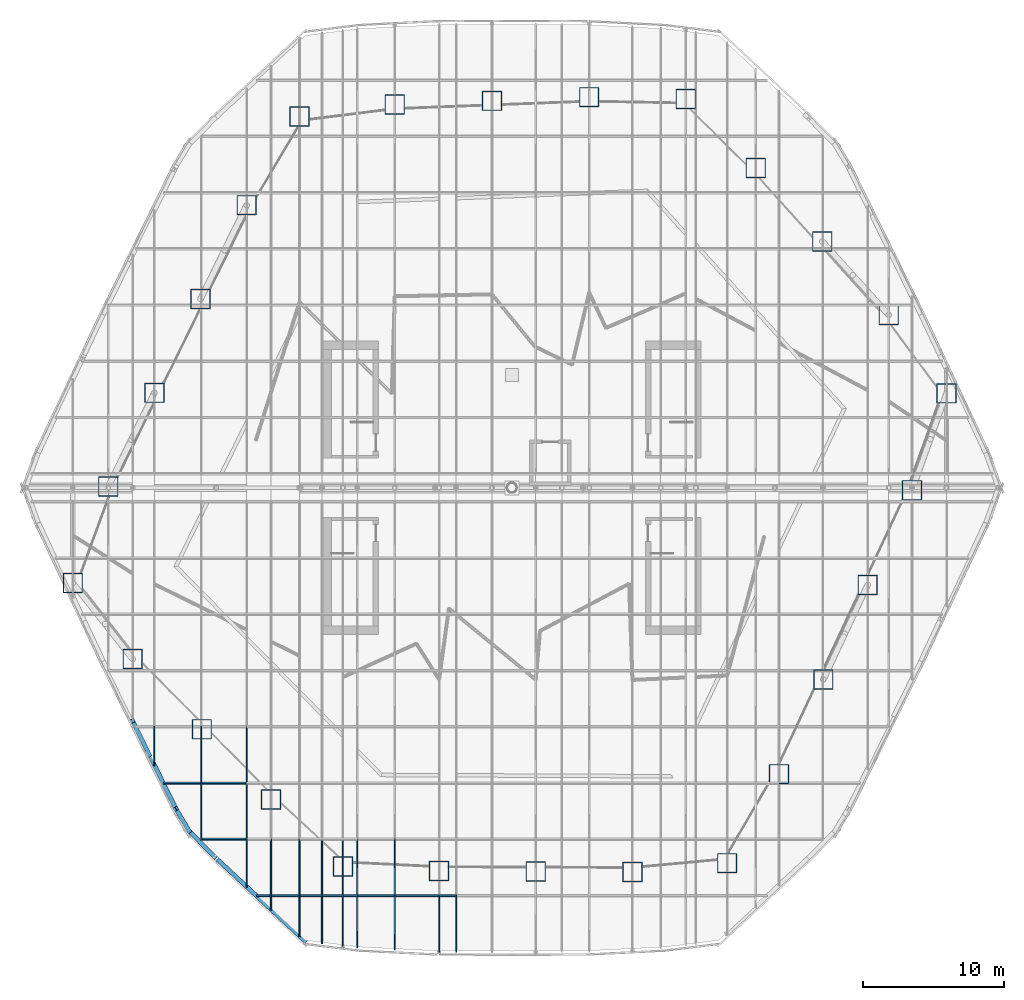
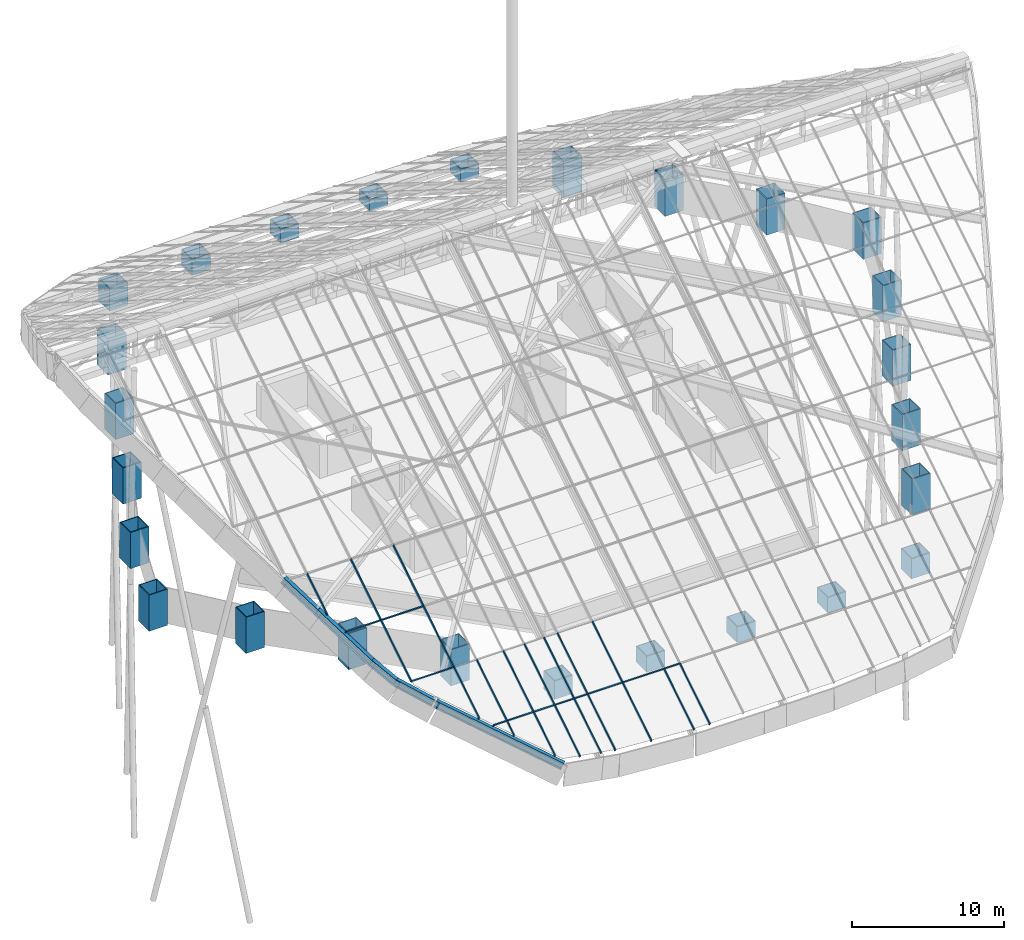
# One storey, part 1 of 38: 36 members, 26 columns, 22 elements without a shape of their own.
"""IFC4 building model written with IfcOpenShell, lengths in metres."""

from ifc_helpers import new_model, si_unit, direction, frame, origin, origin_2d, place, context, subcontext, project, spatial, rectangle, hollow_rectangle, i_section, extrude, material, layer, layer_set, material_profile, profile_set, type_object, element, aggregate, save


model = new_model("IFC4")

# Units and contexts
model_context = context("Model", 3, precision=1e-05, world=origin(), true_north=direction((0.0, 1.0)))
body_context = subcontext(model_context, "Body", "Model", "MODEL_VIEW")
ifc_project = project(units=[si_unit("LENGTHUNIT", "METRE"), si_unit("AREAUNIT", "SQUARE_METRE"), si_unit("VOLUMEUNIT", "CUBIC_METRE"), si_unit("PLANEANGLEUNIT", "RADIAN"), si_unit("MASSUNIT", "GRAM", prefix="KILO")], contexts=[model_context])

# Site, building, storey
site_placement = place(None, origin())
site = spatial("IfcSite", under=ifc_project, at=site_placement, CompositionType="ELEMENT")
building_placement = place(site_placement, origin())
building = spatial("IfcBuilding", under=site, at=building_placement, Name="Dongbaek Canopy Tower", CompositionType="ELEMENT")
storey_placement = place(building_placement, frame((0.0, 0.0, 375.800048828125)))
storey = spatial("IfcBuildingStorey", under=building, at=storey_placement, Name="Roof", CompositionType="ELEMENT", Elevation=375.800048828125)

# Columns
ifc_material_1 = material(Name="Steel S355", Category="steel")
ifc_material_profile_1 = material_profile(ifc_material_1, hollow_rectangle(XDim=1.39990234375, YDim=1.39990234375, WallThickness=0.06005859375, at=origin_2d()), Name="COLUMN BOX 1400x1400x60 Steel S355")
ifc_profile_set_1 = profile_set([ifc_material_profile_1], Name="Steel S355")
column_type = type_object("IfcColumnType", Name="COLUMN BOX 1400x1400x60 Steel S355", PredefinedType="COLUMN", material=ifc_profile_set_1)
for number, where, z_axis, x_axis, name in (
    (1, (-31.12890625, -6.7451171875, 0.0), (0.0, 0.0, 1.0), (1.0, 0.0, 0.0), "CANOPYCOL:CCN-09:Roof"),
    (2, (-26.888916015625, -12.134033203125, 0.0), (0.0, 0.0, 1.0), (1.0, 0.0, 0.0), "CANOPYCOL:CCN-08:Roof"),
    (3, (-21.986083984375, -17.112060546875, 0.0), (0.0, 0.0, 1.0), (1.0, 0.0, 0.0), "CANOPYCOL:CCN-07:Roof"),
    (4, (-17.083984375, -22.089111328125, 0.0), (0.0, 0.0, 1.0), (1.0, 0.0, 0.0), "CANOPYCOL:CCN-06:Roof"),
):
    element("IfcColumn", number, at=place(storey_placement, frame(where, z_axis=z_axis, x_axis=x_axis)), inside=storey, type_object=column_type, Name=name, PredefinedType="COLUMN", context=body_context, shape_type="SweptSolid", body=[
        extrude(hollow_rectangle(XDim=1.39990234375, YDim=1.39990234375, WallThickness=0.06005859375, at=origin_2d()), origin(), (0.0, 0.0, 1.0), 2.89990234375),
    ])
column_1_placement = place(storey_placement, frame((-11.985107421875, -26.8310546875, 0.0), z_axis=(0.0, 0.0, 1.0), x_axis=(1.0, 0.0, 0.0)))
element("IfcColumn", 5, at=column_1_placement, inside=storey, type_object=column_type, Name="CANOPYCOL:CCN-05:Roof", PredefinedType="COLUMN", context=body_context, shape_type="SweptSolid", body=[
    extrude(hollow_rectangle(XDim=1.39990234375, YDim=1.39990234375, WallThickness=0.06005859375, at=origin_2d()), origin(), (0.0, 0.0, 1.0), 1.48583984375),
])
column_2_placement = place(storey_placement, frame((-5.166015625, -27.1669921875, 0.0), z_axis=(0.0, 0.0, 1.0), x_axis=(1.0, 0.0, 0.0)))
element("IfcColumn", 6, at=column_2_placement, inside=storey, type_object=column_type, Name="CANOPYCOL:CCN-04:Roof", PredefinedType="COLUMN", context=body_context, shape_type="SweptSolid", body=[
    extrude(hollow_rectangle(XDim=1.39990234375, YDim=1.39990234375, WallThickness=0.06005859375, at=origin_2d()), origin(), (0.0, 0.0, 1.0), 1.27587890625),
])
column_3_placement = place(storey_placement, frame((1.68310546875, -27.197021484375, 0.0), z_axis=(0.0, 0.0, 1.0), x_axis=(1.0, 0.0, 0.0)))
element("IfcColumn", 7, at=column_3_placement, inside=storey, type_object=column_type, Name="CANOPYCOL:CCN-03:Roof", PredefinedType="COLUMN", context=body_context, shape_type="SweptSolid", body=[
    extrude(hollow_rectangle(XDim=1.39990234375, YDim=1.39990234375, WallThickness=0.06005859375, at=origin_2d()), origin(), (0.0, 0.0, 1.0), 1.257080078125),
])
column_4_placement = place(storey_placement, frame((8.533935546875, -27.22705078125, 0.0), z_axis=(0.0, 0.0, 1.0), x_axis=(1.0, 0.0, 0.0)))
element("IfcColumn", 8, at=column_4_placement, inside=storey, type_object=column_type, Name="CANOPYCOL:CCN-02:Roof", PredefinedType="COLUMN", context=body_context, shape_type="SweptSolid", body=[
    extrude(hollow_rectangle(XDim=1.39990234375, YDim=1.39990234375, WallThickness=0.06005859375, at=origin_2d()), origin(), (0.0, 0.0, 1.0), 1.23828125),
])
column_5_placement = place(storey_placement, frame((15.251953125, -26.60693359375, 0.0), z_axis=(0.0, 0.0, 1.0), x_axis=(1.0, 0.0, 0.0)))
element("IfcColumn", 9, at=column_5_placement, inside=storey, type_object=column_type, Name="CANOPYCOL:CCN-01:Roof", PredefinedType="COLUMN", context=body_context, shape_type="SweptSolid", body=[
    extrude(hollow_rectangle(XDim=1.39990234375, YDim=1.39990234375, WallThickness=0.06005859375, at=origin_2d()), origin(), (0.0, 0.0, 1.0), 1.625732421875),
])
for number, where, z_axis, x_axis, name in (
    (10, (18.925048828125, -20.2958984375, 0.0), (0.0, 0.0, 1.0), (1.0, 0.0, 0.0), "CANOPYCOL:CCN-26:Roof"),
    (11, (22.068115234375, -13.587890625, 0.0), (0.0, 0.0, 1.0), (1.0, 0.0, 0.0), "CANOPYCOL:CCN-25:Roof"),
    (12, (25.2099609375, -6.87890625, 0.0), (0.0, 0.0, 1.0), (1.0, 0.0, 0.0), "CANOPYCOL:CCN-24:Roof"),
    (13, (28.35107421875, -0.169921875, 0.0), (0.0, 0.0, 1.0), (1.0, 0.0, 0.0), "CANOPYCOL:CCN-23:Roof"),
    (14, (30.804931640625, 6.697998046875, 0.0), (0.0, 0.0, 1.0), (1.0, 0.0, 0.0), "CANOPYCOL:CCN-22:Roof"),
    (15, (26.702880859375, 12.257080078125, 0.0), (0.0, 0.0, 1.0), (1.0, 0.0, 0.0), "CANOPYCOL:CCN-21:Roof"),
    (16, (21.989990234375, 17.4619140625, 0.0), (0.0, 0.0, 1.0), (1.0, 0.0, 0.0), "CANOPYCOL:CCN-20:Roof"),
    (17, (17.27587890625, 22.666015625, 0.0), (0.0, 0.0, 1.0), (1.0, 0.0, 0.0), "CANOPYCOL:CCN-19:Roof"),
):
    element("IfcColumn", number, at=place(storey_placement, frame(where, z_axis=z_axis, x_axis=x_axis)), inside=storey, type_object=column_type, Name=name, PredefinedType="COLUMN", context=body_context, shape_type="SweptSolid", body=[
        extrude(hollow_rectangle(XDim=1.39990234375, YDim=1.39990234375, WallThickness=0.06005859375, at=origin_2d()), origin(), (0.0, 0.0, 1.0), 2.89990234375),
    ])
column_6_placement = place(storey_placement, frame((12.31396484375, 27.56298828125, 0.0), z_axis=(0.0, 0.0, 1.0), x_axis=(1.0, 0.0, 0.0)))
element("IfcColumn", 18, at=column_6_placement, inside=storey, type_object=column_type, Name="CANOPYCOL:CCN-18:Roof", PredefinedType="COLUMN", context=body_context, shape_type="SweptSolid", body=[
    extrude(hollow_rectangle(XDim=1.39990234375, YDim=1.39990234375, WallThickness=0.06005859375, at=origin_2d()), origin(), (0.0, 0.0, 1.0), 1.028564453125),
])
column_7_placement = place(storey_placement, frame((5.470947265625, 27.69189453125, 0.0), z_axis=(0.0, 0.0, 1.0), x_axis=(1.0, 0.0, 0.0)))
element("IfcColumn", 19, at=column_7_placement, inside=storey, type_object=column_type, Name="CANOPYCOL:CCN-17:Roof", PredefinedType="COLUMN", context=body_context, shape_type="SweptSolid", body=[
    extrude(hollow_rectangle(XDim=1.39990234375, YDim=1.39990234375, WallThickness=0.06005859375, at=origin_2d()), origin(), (0.0, 0.0, 1.0), 0.94775390625),
])
column_8_placement = place(storey_placement, frame((-1.41796875, 27.427978515625, 0.0), z_axis=(0.0, 0.0, 1.0), x_axis=(1.0, 0.0, 0.0)))
element("IfcColumn", 20, at=column_8_placement, inside=storey, type_object=column_type, Name="CANOPYCOL:CCN-16:Roof", PredefinedType="COLUMN", context=body_context, shape_type="SweptSolid", body=[
    extrude(hollow_rectangle(XDim=1.39990234375, YDim=1.39990234375, WallThickness=0.06005859375, at=origin_2d()), origin(), (0.0, 0.0, 1.0), 1.11279296875),
])
column_9_placement = place(storey_placement, frame((-8.30908203125, 27.1640625, 0.0), z_axis=(0.0, 0.0, 1.0), x_axis=(1.0, 0.0, 0.0)))
element("IfcColumn", 21, at=column_9_placement, inside=storey, type_object=column_type, Name="CANOPYCOL:CCN-15:Roof", PredefinedType="COLUMN", context=body_context, shape_type="SweptSolid", body=[
    extrude(hollow_rectangle(XDim=1.39990234375, YDim=1.39990234375, WallThickness=0.06005859375, at=origin_2d()), origin(), (0.0, 0.0, 1.0), 1.27783203125),
])
column_10_placement = place(storey_placement, frame((-15.06201171875, 26.321044921875, 0.0), z_axis=(0.0, 0.0, 1.0), x_axis=(1.0, 0.0, 0.0)))
element("IfcColumn", 22, at=column_10_placement, inside=storey, type_object=column_type, Name="CANOPYCOL:CCN-14:Roof", PredefinedType="COLUMN", context=body_context, shape_type="SweptSolid", body=[
    extrude(hollow_rectangle(XDim=1.39990234375, YDim=1.39990234375, WallThickness=0.06005859375, at=origin_2d()), origin(), (0.0, 0.0, 1.0), 1.804443359375),
])
for number, where, z_axis, x_axis, name in (
    (23, (-18.805908203125, 20.031982421875, 0.0), (0.0, 0.0, 1.0), (1.0, 0.0, 0.0), "CANOPYCOL:CCN-13:Roof"),
    (24, (-22.075927734375, 13.384033203125, 0.0), (0.0, 0.0, 1.0), (1.0, 0.0, 0.0), "CANOPYCOL:CCN-12:Roof"),
    (25, (-25.346923828125, 6.735107421875, 0.0), (0.0, 0.0, 1.0), (1.0, 0.0, 0.0), "CANOPYCOL:CCN-11:Roof"),
    (26, (-28.616943359375, 0.0859375, 0.0), (0.0, 0.0, 1.0), (1.0, 0.0, 0.0), "CANOPYCOL:CCN-10:Roof"),
):
    element("IfcColumn", number, at=place(storey_placement, frame(where, z_axis=z_axis, x_axis=x_axis)), inside=storey, type_object=column_type, Name=name, PredefinedType="COLUMN", context=body_context, shape_type="SweptSolid", body=[
        extrude(hollow_rectangle(XDim=1.39990234375, YDim=1.39990234375, WallThickness=0.06005859375, at=origin_2d()), origin(), (0.0, 0.0, 1.0), 2.89990234375),
    ])

# Curtain wall, member
ifc_material_2 = material(Name="Aluminium 6063-T6 pale anodised", Category="aluminium")
ifc_layer = layer(ifc_material_2, 0.199951171875)
ifc_layer_set = layer_set([ifc_layer], Name="CW-6 canopy glazing curtain wall")
curtain_wall_type = type_object("IfcCurtainWallType", Name="CW-6 canopy glazing curtain wall", PredefinedType="NOTDEFINED", material=ifc_layer_set)
curtain_wall_1_placement = place(storey_placement, origin())
curtain_wall_1 = element("IfcCurtainWall", 27, at=curtain_wall_1_placement, inside=storey, type_object=curtain_wall_type, Name="CW-6 canopy glazing south 4.5", PredefinedType="NOTDEFINED")
ifc_material_3 = material(Name="Aluminium 6063-T6 pale anodised", Category="aluminium")
ifc_material_profile_2 = material_profile(ifc_material_3, rectangle(XDim=0.080078125, YDim=0.199951171875, at=origin_2d()), Name="CW-6 mullion 80 x 200")
ifc_profile_set_2 = profile_set([ifc_material_profile_2], Name="Aluminium 6063-T6 pale anodised")
member_type_1 = type_object("IfcMemberType", Name="CW-6 mullion 80 x 200", PredefinedType="MULLION", material=ifc_profile_set_2)
member_1_placement = place(storey_placement, frame((-25.346923828125, -16.94482421875, 8.13525390625), z_axis=(0.0, -0.848041323399, -0.529930102756), x_axis=(1.0, 0.0, 0.0)))
member_1 = element("IfcMember", 28, at=member_1_placement, type_object=member_type_1, Name="CW-6 mullion S4.5.-25.3", PredefinedType="MULLION", context=body_context, shape_type="SweptSolid", body=[
    extrude(rectangle(XDim=0.080078125, YDim=0.199951171875, at=origin_2d()), origin(), (0.0, 0.0, 1.0), 3.18798828125),
])
aggregate(curtain_wall_1, [member_1])

curtain_wall_2_placement = place(storey_placement, origin())
curtain_wall_2 = element("IfcCurtainWall", 29, at=curtain_wall_2_placement, inside=storey, type_object=curtain_wall_type, Name="CW-6 canopy glazing south 5.5", PredefinedType="NOTDEFINED")
member_2_placement = place(storey_placement, frame((-22.031005859375, -16.94482421875, 8.13525390625), z_axis=(0.0, -0.848068327403, -0.529886886095), x_axis=(1.0, 0.0, 0.0)))
member_2 = element("IfcMember", 30, at=member_2_placement, type_object=member_type_1, Name="CW-6 mullion S5.5.-22.0", PredefinedType="MULLION", context=body_context, shape_type="SweptSolid", body=[
    extrude(rectangle(XDim=0.080078125, YDim=0.199951171875, at=origin_2d()), origin(), (0.0, 0.0, 1.0), 4.700439453125),
])

curtain_wall_3_placement = place(storey_placement, origin())
curtain_wall_3 = element("IfcCurtainWall", 31, at=curtain_wall_3_placement, inside=storey, type_object=curtain_wall_type, Name="CW-6 canopy glazing south 5.6", PredefinedType="NOTDEFINED")
member_3_placement = place(storey_placement, frame((-22.031005859375, -20.93115234375, 5.64453125), z_axis=(0.0, -0.848030400431, -0.529947582262), x_axis=(1.0, 0.0, 0.0)))
member_3 = element("IfcMember", 32, at=member_3_placement, type_object=member_type_1, Name="CW-6 mullion S5.6.-22.0", PredefinedType="MULLION", context=body_context, shape_type="SweptSolid", body=[
    extrude(rectangle(XDim=0.080078125, YDim=0.199951171875, at=origin_2d()), origin(), (0.0, 0.0, 1.0), 4.700439453125),
])
aggregate(curtain_wall_3, [member_3])

curtain_wall_4_placement = place(storey_placement, origin())
curtain_wall_4 = element("IfcCurtainWall", 33, at=curtain_wall_4_placement, inside=storey, type_object=curtain_wall_type, Name="CW-6 canopy glazing south 6.5", PredefinedType="NOTDEFINED")
member_4_placement = place(storey_placement, frame((-18.805908203125, -16.94482421875, 8.13525390625), z_axis=(0.0, -0.848068327403, -0.529886886095), x_axis=(1.0, 0.0, 0.0)))
member_4 = element("IfcMember", 34, at=member_4_placement, type_object=member_type_1, Name="CW-6 mullion S6.5.-18.8", PredefinedType="MULLION", context=body_context, shape_type="SweptSolid", body=[
    extrude(rectangle(XDim=0.080078125, YDim=0.199951171875, at=origin_2d()), origin(), (0.0, 0.0, 1.0), 4.700439453125),
])

curtain_wall_5_placement = place(storey_placement, origin())
curtain_wall_5 = element("IfcCurtainWall", 35, at=curtain_wall_5_placement, inside=storey, type_object=curtain_wall_type, Name="CW-6 canopy glazing south 6.6", PredefinedType="NOTDEFINED")
member_5_placement = place(storey_placement, frame((-18.805908203125, -20.93115234375, 5.64453125), z_axis=(0.0, -0.848030400431, -0.529947582262), x_axis=(1.0, 0.0, 0.0)))
member_5 = element("IfcMember", 36, at=member_5_placement, type_object=member_type_1, Name="CW-6 mullion S6.6.-18.8", PredefinedType="MULLION", context=body_context, shape_type="SweptSolid", body=[
    extrude(rectangle(XDim=0.080078125, YDim=0.199951171875, at=origin_2d()), origin(), (0.0, 0.0, 1.0), 4.700439453125),
])

curtain_wall_6_placement = place(storey_placement, origin())
curtain_wall_6 = element("IfcCurtainWall", 37, at=curtain_wall_6_placement, inside=storey, type_object=curtain_wall_type, Name="CW-6 canopy glazing south 6.7", PredefinedType="NOTDEFINED")
member_6_placement = place(storey_placement, frame((-18.805908203125, -24.917236328125, 3.153564453125), z_axis=(0.0, -0.848050316017, -0.529915711697), x_axis=(1.0, 0.0, 0.0)))
member_6 = element("IfcMember", 38, at=member_6_placement, type_object=member_type_1, Name="CW-6 mullion S6.7.-18.8", PredefinedType="MULLION", context=body_context, shape_type="SweptSolid", body=[
    extrude(rectangle(XDim=0.080078125, YDim=0.199951171875, at=origin_2d()), origin(), (0.0, 0.0, 1.0), 3.955322265625),
])
aggregate(curtain_wall_6, [member_6])

curtain_wall_7_placement = place(storey_placement, origin())
curtain_wall_7 = element("IfcCurtainWall", 39, at=curtain_wall_7_placement, inside=storey, type_object=curtain_wall_type, Name="CW-6 canopy glazing south 7.7", PredefinedType="NOTDEFINED")
member_7_placement = place(storey_placement, frame((-17.083984375, -24.917236328125, 3.153564453125), z_axis=(0.0, -0.848068327403, -0.529886886095), x_axis=(1.0, 0.0, 0.0)))
member_7 = element("IfcMember", 40, at=member_7_placement, type_object=member_type_1, Name="CW-6 mullion S7.7.-17.1", PredefinedType="MULLION", context=body_context, shape_type="SweptSolid", body=[
    extrude(rectangle(XDim=0.080078125, YDim=0.199951171875, at=origin_2d()), origin(), (0.0, 0.0, 1.0), 4.700439453125),
])

curtain_wall_8_placement = place(storey_placement, origin())
curtain_wall_8 = element("IfcCurtainWall", 41, at=curtain_wall_8_placement, inside=storey, type_object=curtain_wall_type, Name="CW-6 canopy glazing south 7.8", PredefinedType="NOTDEFINED")
member_8_placement = place(storey_placement, frame((-17.083984375, -28.903564453125, 0.662841796875), z_axis=(0.0, -0.84798630689, -0.530018134903), x_axis=(1.0, 0.0, 0.0)))
member_8 = element("IfcMember", 42, at=member_8_placement, type_object=member_type_1, Name="CW-6 mullion S7.8.-17.1", PredefinedType="MULLION", context=body_context, shape_type="SweptSolid", body=[
    extrude(rectangle(XDim=0.080078125, YDim=0.199951171875, at=origin_2d()), origin(), (0.0, 0.0, 1.0), 1.143310546875),
])
aggregate(curtain_wall_8, [member_8])

curtain_wall_9_placement = place(storey_placement, origin())
curtain_wall_9 = element("IfcCurtainWall", 43, at=curtain_wall_9_placement, inside=storey, type_object=curtain_wall_type, Name="CW-6 canopy glazing south 8.7", PredefinedType="NOTDEFINED")
member_9_placement = place(storey_placement, frame((-15.06201171875, -24.917236328125, 3.153564453125), z_axis=(0.0, -0.848068327403, -0.529886886095), x_axis=(1.0, 0.0, 0.0)))
member_9 = element("IfcMember", 44, at=member_9_placement, type_object=member_type_1, Name="CW-6 mullion S8.7.-15.1", PredefinedType="MULLION", context=body_context, shape_type="SweptSolid", body=[
    extrude(rectangle(XDim=0.080078125, YDim=0.199951171875, at=origin_2d()), origin(), (0.0, 0.0, 1.0), 4.700439453125),
])

curtain_wall_10_placement = place(storey_placement, origin())
curtain_wall_10 = element("IfcCurtainWall", 45, at=curtain_wall_10_placement, inside=storey, type_object=curtain_wall_type, Name="CW-6 canopy glazing south 8.8", PredefinedType="NOTDEFINED")
member_10_placement = place(storey_placement, frame((-15.06201171875, -28.903564453125, 0.662841796875), z_axis=(0.0, -0.848018710085, -0.529966288877), x_axis=(1.0, 0.0, 0.0)))
member_10 = element("IfcMember", 46, at=member_10_placement, type_object=member_type_1, Name="CW-6 mullion S8.8.-15.1", PredefinedType="MULLION", context=body_context, shape_type="SweptSolid", body=[
    extrude(rectangle(XDim=0.080078125, YDim=0.199951171875, at=origin_2d()), origin(), (0.0, 0.0, 1.0), 3.360595703125),
])
aggregate(curtain_wall_10, [member_10])

curtain_wall_11_placement = place(storey_placement, origin())
curtain_wall_11 = element("IfcCurtainWall", 47, at=curtain_wall_11_placement, inside=storey, type_object=curtain_wall_type, Name="CW-6 canopy glazing south 9.7", PredefinedType="NOTDEFINED")
member_11_placement = place(storey_placement, frame((-13.464599609375, -24.917236328125, 3.153564453125), z_axis=(0.0, -0.848068327403, -0.529886886095), x_axis=(1.0, 0.0, 0.0)))
member_11 = element("IfcMember", 48, at=member_11_placement, type_object=member_type_1, Name="CW-6 mullion S9.7.-13.5", PredefinedType="MULLION", context=body_context, shape_type="SweptSolid", body=[
    extrude(rectangle(XDim=0.080078125, YDim=0.199951171875, at=origin_2d()), origin(), (0.0, 0.0, 1.0), 4.700439453125),
])

curtain_wall_12_placement = place(storey_placement, origin())
curtain_wall_12 = element("IfcCurtainWall", 49, at=curtain_wall_12_placement, inside=storey, type_object=curtain_wall_type, Name="CW-6 canopy glazing south 9.8", PredefinedType="NOTDEFINED")
member_12_placement = place(storey_placement, frame((-13.464599609375, -28.903564453125, 0.662841796875), z_axis=(0.0, -0.848036368747, -0.529938031549), x_axis=(1.0, 0.0, 0.0)))
member_12 = element("IfcMember", 50, at=member_12_placement, type_object=member_type_1, Name="CW-6 mullion S9.8.-13.5", PredefinedType="MULLION", context=body_context, shape_type="SweptSolid", body=[
    extrude(rectangle(XDim=0.080078125, YDim=0.199951171875, at=origin_2d()), origin(), (0.0, 0.0, 1.0), 3.96337890625),
])
aggregate(curtain_wall_12, [member_12])

curtain_wall_13_placement = place(storey_placement, origin())
curtain_wall_13 = element("IfcCurtainWall", 51, at=curtain_wall_13_placement, inside=storey, type_object=curtain_wall_type, Name="CW-6 canopy glazing south 10.7", PredefinedType="NOTDEFINED")
member_13_placement = place(storey_placement, frame((-11.985107421875, -24.917236328125, 3.153564453125), z_axis=(0.0, -0.848068327403, -0.529886886095), x_axis=(1.0, 0.0, 0.0)))
member_13 = element("IfcMember", 52, at=member_13_placement, type_object=member_type_1, Name="CW-6 mullion S10.7.-12.0", PredefinedType="MULLION", context=body_context, shape_type="SweptSolid", body=[
    extrude(rectangle(XDim=0.080078125, YDim=0.199951171875, at=origin_2d()), origin(), (0.0, 0.0, 1.0), 4.700439453125),
])

curtain_wall_14_placement = place(storey_placement, origin())
curtain_wall_14 = element("IfcCurtainWall", 53, at=curtain_wall_14_placement, inside=storey, type_object=curtain_wall_type, Name="CW-6 canopy glazing south 10.8", PredefinedType="NOTDEFINED")
member_14_placement = place(storey_placement, frame((-11.985107421875, -28.903564453125, 0.662841796875), z_axis=(0.0, -0.848037664843, -0.529935957458), x_axis=(1.0, 0.0, 0.0)))
member_14 = element("IfcMember", 54, at=member_14_placement, type_object=member_type_1, Name="CW-6 mullion S10.8.-12.0", PredefinedType="MULLION", context=body_context, shape_type="SweptSolid", body=[
    extrude(rectangle(XDim=0.080078125, YDim=0.199951171875, at=origin_2d()), origin(), (0.0, 0.0, 1.0), 4.181396484375),
])
aggregate(curtain_wall_14, [member_14])

curtain_wall_15_placement = place(storey_placement, origin())
curtain_wall_15 = element("IfcCurtainWall", 55, at=curtain_wall_15_placement, inside=storey, type_object=curtain_wall_type, Name="CW-6 canopy glazing south 11.7", PredefinedType="NOTDEFINED")
member_15_placement = place(storey_placement, frame((-10.964599609375, -24.917236328125, 3.153564453125), z_axis=(0.0, -0.848068327403, -0.529886886095), x_axis=(1.0, 0.0, 0.0)))
member_15 = element("IfcMember", 56, at=member_15_placement, type_object=member_type_1, Name="CW-6 mullion S11.7.-11.0", PredefinedType="MULLION", context=body_context, shape_type="SweptSolid", body=[
    extrude(rectangle(XDim=0.080078125, YDim=0.199951171875, at=origin_2d()), origin(), (0.0, 0.0, 1.0), 4.700439453125),
])

curtain_wall_16_placement = place(storey_placement, origin())
curtain_wall_16 = element("IfcCurtainWall", 57, at=curtain_wall_16_placement, inside=storey, type_object=curtain_wall_type, Name="CW-6 canopy glazing south 11.8", PredefinedType="NOTDEFINED")
member_16_placement = place(storey_placement, frame((-10.964599609375, -28.903564453125, 0.662841796875), z_axis=(0.0, -0.848026802453, -0.529953339758), x_axis=(1.0, 0.0, 0.0)))
member_16 = element("IfcMember", 58, at=member_16_placement, type_object=member_type_1, Name="CW-6 mullion S11.8.-11.0", PredefinedType="MULLION", context=body_context, shape_type="SweptSolid", body=[
    extrude(rectangle(XDim=0.080078125, YDim=0.199951171875, at=origin_2d()), origin(), (0.0, 0.0, 1.0), 4.331298828125),
])
aggregate(curtain_wall_16, [member_16])

curtain_wall_17_placement = place(storey_placement, origin())
curtain_wall_17 = element("IfcCurtainWall", 59, at=curtain_wall_17_placement, inside=storey, type_object=curtain_wall_type, Name="CW-6 canopy glazing south 12.7", PredefinedType="NOTDEFINED")
member_17_placement = place(storey_placement, frame((-8.30908203125, -24.917236328125, 3.153564453125), z_axis=(0.0, -0.848068327403, -0.529886886095), x_axis=(1.0, 0.0, 0.0)))
member_17 = element("IfcMember", 60, at=member_17_placement, type_object=member_type_1, Name="CW-6 mullion S12.7.-8.3", PredefinedType="MULLION", context=body_context, shape_type="SweptSolid", body=[
    extrude(rectangle(XDim=0.080078125, YDim=0.199951171875, at=origin_2d()), origin(), (0.0, 0.0, 1.0), 4.700439453125),
])

curtain_wall_18_placement = place(storey_placement, origin())
curtain_wall_18 = element("IfcCurtainWall", 61, at=curtain_wall_18_placement, inside=storey, type_object=curtain_wall_type, Name="CW-6 canopy glazing south 12.8", PredefinedType="NOTDEFINED")
member_18_placement = place(storey_placement, frame((-8.30908203125, -28.903564453125, 0.662841796875), z_axis=(0.0, -0.848034884332, -0.529940406986), x_axis=(1.0, 0.0, 0.0)))
member_18 = element("IfcMember", 62, at=member_18_placement, type_object=member_type_1, Name="CW-6 mullion S12.8.-8.3", PredefinedType="MULLION", context=body_context, shape_type="SweptSolid", body=[
    extrude(rectangle(XDim=0.080078125, YDim=0.199951171875, at=origin_2d()), origin(), (0.0, 0.0, 1.0), 4.4990234375),
])
aggregate(curtain_wall_18, [member_18])

curtain_wall_19_placement = place(storey_placement, origin())
curtain_wall_19 = element("IfcCurtainWall", 63, at=curtain_wall_19_placement, inside=storey, type_object=curtain_wall_type, Name="CW-6 canopy glazing south 13.8", PredefinedType="NOTDEFINED")
member_19_placement = place(storey_placement, frame((-5.166015625, -28.903564453125, 0.662841796875), z_axis=(0.0, -0.848027649756, -0.529951983909), x_axis=(1.0, 0.0, 0.0)))
member_19 = element("IfcMember", 64, at=member_19_placement, type_object=member_type_1, Name="CW-6 mullion S13.8.-5.2", PredefinedType="MULLION", context=body_context, shape_type="SweptSolid", body=[
    extrude(rectangle(XDim=0.080078125, YDim=0.199951171875, at=origin_2d()), origin(), (0.0, 0.0, 1.0), 4.673583984375),
])
aggregate(curtain_wall_19, [member_19])

curtain_wall_20_placement = place(storey_placement, origin())
curtain_wall_20 = element("IfcCurtainWall", 65, at=curtain_wall_20_placement, inside=storey, type_object=curtain_wall_type, Name="CW-6 canopy glazing south 14.8", PredefinedType="NOTDEFINED")
member_20_placement = place(storey_placement, frame((-3.964599609375, -28.903564453125, 0.662841796875), z_axis=(0.0, -0.84802174888, -0.529961426358), x_axis=(1.0, 0.0, 0.0)))
member_20 = element("IfcMember", 66, at=member_20_placement, type_object=member_type_1, Name="CW-6 mullion S14.8.-4.0", PredefinedType="MULLION", context=body_context, shape_type="SweptSolid", body=[
    extrude(rectangle(XDim=0.080078125, YDim=0.199951171875, at=origin_2d()), origin(), (0.0, 0.0, 1.0), 4.679931640625),
])
aggregate(curtain_wall_20, [member_20])

# Member
ifc_material_4 = material(Name="Aluminium 6063-T6 pale anodised", Category="aluminium")
ifc_material_profile_3 = material_profile(ifc_material_4, rectangle(XDim=0.080078125, YDim=0.199951171875, at=origin_2d()), Name="CW-6 transom 80 x 200")
ifc_profile_set_3 = profile_set([ifc_material_profile_3], Name="Aluminium 6063-T6 pale anodised")
member_type_2 = type_object("IfcMemberType", Name="CW-6 transom 80 x 200", PredefinedType="USERDEFINED", material=ifc_profile_set_3)
member_21_placement = place(storey_placement, frame((-24.716064453125, -20.93115234375, 5.64453125), z_axis=(1.0, 0.0, 0.0), x_axis=(0.0, 0.848048096156, 0.529919264233)))
member_21 = element("IfcMember", 67, at=member_21_placement, type_object=member_type_2, Name="CW-6 transom S5.5.6", ObjectType="TRANSOM", PredefinedType="USERDEFINED", context=body_context, shape_type="SweptSolid", body=[
    extrude(rectangle(XDim=0.080078125, YDim=0.199951171875, at=origin_2d()), origin(), (0.0, 0.0, 1.0), 2.68505859375),
])

aggregate(curtain_wall_2, [member_2, member_21])

member_22_placement = place(storey_placement, frame((-22.031005859375, -20.93115234375, 5.64453125), z_axis=(1.0, 0.0, 0.0), x_axis=(0.0, 0.848048096156, 0.529919264233)))
member_22 = element("IfcMember", 68, at=member_22_placement, type_object=member_type_2, Name="CW-6 transom S6.5.6", ObjectType="TRANSOM", PredefinedType="USERDEFINED", context=body_context, shape_type="SweptSolid", body=[
    extrude(rectangle(XDim=0.080078125, YDim=0.199951171875, at=origin_2d()), origin(), (0.0, 0.0, 1.0), 3.22509765625),
])

aggregate(curtain_wall_4, [member_4, member_22])

member_23_placement = place(storey_placement, frame((-22.031005859375, -24.917236328125, 3.153564453125), z_axis=(1.0, 0.0, 0.0), x_axis=(0.0, 0.848048096156, 0.529919264233)))
member_23 = element("IfcMember", 69, at=member_23_placement, type_object=member_type_2, Name="CW-6 transom S6.6.7", ObjectType="TRANSOM", PredefinedType="USERDEFINED", context=body_context, shape_type="SweptSolid", body=[
    extrude(rectangle(XDim=0.080078125, YDim=0.199951171875, at=origin_2d()), origin(), (0.0, 0.0, 1.0), 3.22509765625),
])

aggregate(curtain_wall_5, [member_5, member_23])

member_24_placement = place(storey_placement, frame((-18.12646484375, -28.903564453125, 0.662841796875), z_axis=(1.0, 0.0, 0.0), x_axis=(0.0, 0.848048096156, 0.529919264233)))
member_24 = element("IfcMember", 70, at=member_24_placement, type_object=member_type_2, Name="CW-6 transom S7.7.8", ObjectType="TRANSOM", PredefinedType="USERDEFINED", context=body_context, shape_type="SweptSolid", body=[
    extrude(rectangle(XDim=0.080078125, YDim=0.199951171875, at=origin_2d()), origin(), (0.0, 0.0, 1.0), 1.04248046875),
])

aggregate(curtain_wall_7, [member_7, member_24])

member_25_placement = place(storey_placement, frame((-17.083984375, -28.903564453125, 0.662841796875), z_axis=(1.0, 0.0, 0.0), x_axis=(0.0, 0.848048096156, 0.529919264233)))
member_25 = element("IfcMember", 71, at=member_25_placement, type_object=member_type_2, Name="CW-6 transom S8.7.8", ObjectType="TRANSOM", PredefinedType="USERDEFINED", context=body_context, shape_type="SweptSolid", body=[
    extrude(rectangle(XDim=0.080078125, YDim=0.199951171875, at=origin_2d()), origin(), (0.0, 0.0, 1.0), 2.02197265625),
])

aggregate(curtain_wall_9, [member_9, member_25])

member_26_placement = place(storey_placement, frame((-15.06201171875, -28.903564453125, 0.662841796875), z_axis=(1.0, 0.0, 0.0), x_axis=(0.0, 0.848048096156, 0.529919264233)))
member_26 = element("IfcMember", 72, at=member_26_placement, type_object=member_type_2, Name="CW-6 transom S9.7.8", ObjectType="TRANSOM", PredefinedType="USERDEFINED", context=body_context, shape_type="SweptSolid", body=[
    extrude(rectangle(XDim=0.080078125, YDim=0.199951171875, at=origin_2d()), origin(), (0.0, 0.0, 1.0), 1.597412109375),
])

aggregate(curtain_wall_11, [member_11, member_26])

member_27_placement = place(storey_placement, frame((-13.464599609375, -28.903564453125, 0.662841796875), z_axis=(1.0, 0.0, 0.0), x_axis=(0.0, 0.848048096156, 0.529919264233)))
member_27 = element("IfcMember", 73, at=member_27_placement, type_object=member_type_2, Name="CW-6 transom S10.7.8", ObjectType="TRANSOM", PredefinedType="USERDEFINED", context=body_context, shape_type="SweptSolid", body=[
    extrude(rectangle(XDim=0.080078125, YDim=0.199951171875, at=origin_2d()), origin(), (0.0, 0.0, 1.0), 1.4794921875),
])

aggregate(curtain_wall_13, [member_13, member_27])

member_28_placement = place(storey_placement, frame((-11.985107421875, -28.903564453125, 0.662841796875), z_axis=(1.0, 0.0, 0.0), x_axis=(0.0, 0.848048096156, 0.529919264233)))
member_28 = element("IfcMember", 74, at=member_28_placement, type_object=member_type_2, Name="CW-6 transom S11.7.8", ObjectType="TRANSOM", PredefinedType="USERDEFINED", context=body_context, shape_type="SweptSolid", body=[
    extrude(rectangle(XDim=0.080078125, YDim=0.199951171875, at=origin_2d()), origin(), (0.0, 0.0, 1.0), 1.0205078125),
])

aggregate(curtain_wall_15, [member_15, member_28])

member_29_placement = place(storey_placement, frame((-10.964599609375, -28.903564453125, 0.662841796875), z_axis=(1.0, 0.0, 0.0), x_axis=(0.0, 0.848048096156, 0.529919264233)))
member_29 = element("IfcMember", 75, at=member_29_placement, type_object=member_type_2, Name="CW-6 transom S12.7.8", ObjectType="TRANSOM", PredefinedType="USERDEFINED", context=body_context, shape_type="SweptSolid", body=[
    extrude(rectangle(XDim=0.080078125, YDim=0.199951171875, at=origin_2d()), origin(), (0.0, 0.0, 1.0), 2.655517578125),
])

aggregate(curtain_wall_17, [member_17, member_29])

# Curtain wall, member
curtain_wall_21_placement = place(storey_placement, origin())
curtain_wall_21 = element("IfcCurtainWall", 76, at=curtain_wall_21_placement, inside=storey, type_object=curtain_wall_type, Name="CW-6 canopy glazing south 13.7", PredefinedType="NOTDEFINED")
member_30_placement = place(storey_placement, frame((-8.30908203125, -28.903564453125, 0.662841796875), z_axis=(1.0, 0.0, 0.0), x_axis=(0.0, 0.848048096156, 0.529919264233)))
member_30 = element("IfcMember", 77, at=member_30_placement, type_object=member_type_2, Name="CW-6 transom S13.7.8", ObjectType="TRANSOM", PredefinedType="USERDEFINED", context=body_context, shape_type="SweptSolid", body=[
    extrude(rectangle(XDim=0.080078125, YDim=0.199951171875, at=origin_2d()), origin(), (0.0, 0.0, 1.0), 3.14306640625),
])
aggregate(curtain_wall_21, [member_30])

curtain_wall_22_placement = place(storey_placement, origin())
curtain_wall_22 = element("IfcCurtainWall", 78, at=curtain_wall_22_placement, inside=storey, type_object=curtain_wall_type, Name="CW-6 canopy glazing south 14.7", PredefinedType="NOTDEFINED")
member_31_placement = place(storey_placement, frame((-5.166015625, -28.903564453125, 0.662841796875), z_axis=(1.0, 0.0, 0.0), x_axis=(0.0, 0.848048096156, 0.529919264233)))
member_31 = element("IfcMember", 79, at=member_31_placement, type_object=member_type_2, Name="CW-6 transom S14.7.8", ObjectType="TRANSOM", PredefinedType="USERDEFINED", context=body_context, shape_type="SweptSolid", body=[
    extrude(rectangle(XDim=0.080078125, YDim=0.199951171875, at=origin_2d()), origin(), (0.0, 0.0, 1.0), 1.201416015625),
])
aggregate(curtain_wall_22, [member_31])

# Members
ifc_material_5 = material(Name="Steel S355", Category="steel")
ifc_material_profile_4 = material_profile(ifc_material_5, i_section(OverallWidth=0.300048828125, OverallDepth=0.587890625, WebThickness=0.011962890625, FlangeThickness=0.02001953125, FilletRadius=0.028076171875, at=origin_2d()), Name="EAVES BEAM H 588x300x12x20 Steel S355")
ifc_profile_set_4 = profile_set([ifc_material_profile_4], Name="Steel S355")
member_type_3 = type_object("IfcMemberType", Name="EAVES BEAM H 588x300x12x20 Steel S355", PredefinedType="MEMBER", material=ifc_profile_set_4)
member_32_placement = place(storey_placement, frame((-26.888916015625, -16.513916015625, 7.932861328125), z_axis=(0.384996352715, -0.782659663365, -0.489102913238), x_axis=(0.897312839429, 0.441395138392, 0.0)))
element("IfcMember", 80, at=member_32_placement, inside=storey, type_object=member_type_3, Name="EAVE:04", PredefinedType="MEMBER", context=body_context, shape_type="SweptSolid", body=[
    extrude(i_section(OverallWidth=0.300048828125, OverallDepth=0.587890625, WebThickness=0.011962890625, FlangeThickness=0.02001953125, FilletRadius=0.028076171875, at=origin_2d()), origin(), (0.0, 0.0, 1.0), 3.083740234375),
])
member_33_placement = place(storey_placement, frame((-25.70166015625, -18.927490234375, 6.424560546875), z_axis=(0.384996687709, -0.782683377841, -0.489064699712), x_axis=(0.897317984241, 0.441384679341, 0.0)))
element("IfcMember", 81, at=member_33_placement, inside=storey, type_object=member_type_3, Name="EAVE:05", PredefinedType="MEMBER", context=body_context, shape_type="SweptSolid", body=[
    extrude(i_section(OverallWidth=0.300048828125, OverallDepth=0.587890625, WebThickness=0.011962890625, FlangeThickness=0.02001953125, FilletRadius=0.028076171875, at=origin_2d()), origin(), (0.0, 0.0, 1.0), 4.88671875),
])
member_34_placement = place(storey_placement, frame((-23.8203125, -22.752197265625, 4.03466796875), z_axis=(0.450682075309, -0.757028061141, -0.473068897351), x_axis=(0.85925789479, 0.511542637754, 0.0)))
element("IfcMember", 82, at=member_34_placement, inside=storey, type_object=member_type_3, Name="EAVE:06", PredefinedType="MEMBER", context=body_context, shape_type="SweptSolid", body=[
    extrude(i_section(OverallWidth=0.300048828125, OverallDepth=0.587890625, WebThickness=0.011962890625, FlangeThickness=0.02001953125, FilletRadius=0.028076171875, at=origin_2d()), origin(), (0.0, 0.0, 1.0), 2.072021484375),
])
member_35_placement = place(storey_placement, frame((-22.886474609375, -24.32080078125, 3.054443359375), z_axis=(0.641050518342, -0.650890455556, -0.406688883299), x_axis=(0.712471723396, 0.701700821833, 0.0)))
element("IfcMember", 83, at=member_35_placement, inside=storey, type_object=member_type_3, Name="EAVE:07", PredefinedType="MEMBER", context=body_context, shape_type="SweptSolid", body=[
    extrude(i_section(OverallWidth=0.300048828125, OverallDepth=0.587890625, WebThickness=0.011962890625, FlangeThickness=0.02001953125, FilletRadius=0.028076171875, at=origin_2d()), origin(), (0.0, 0.0, 1.0), 2.853271484375),
])
member_36_placement = place(storey_placement, frame((-20.973388671875, -26.255615234375, 1.84521484375), z_axis=(0.67379366899, -0.626652401014, -0.391546753188), x_axis=(0.68102679627, 0.732258494497, 0.0)))
element("IfcMember", 84, at=member_36_placement, inside=storey, type_object=member_type_3, Name="EAVE:09", PredefinedType="MEMBER", context=body_context, shape_type="SweptSolid", body=[
    extrude(i_section(OverallWidth=0.300048828125, OverallDepth=0.587890625, WebThickness=0.011962890625, FlangeThickness=0.02001953125, FilletRadius=0.028076171875, at=origin_2d()), origin(), (0.0, 0.0, 1.0), 9.347900390625),
])

save(model, "model.ifc")
